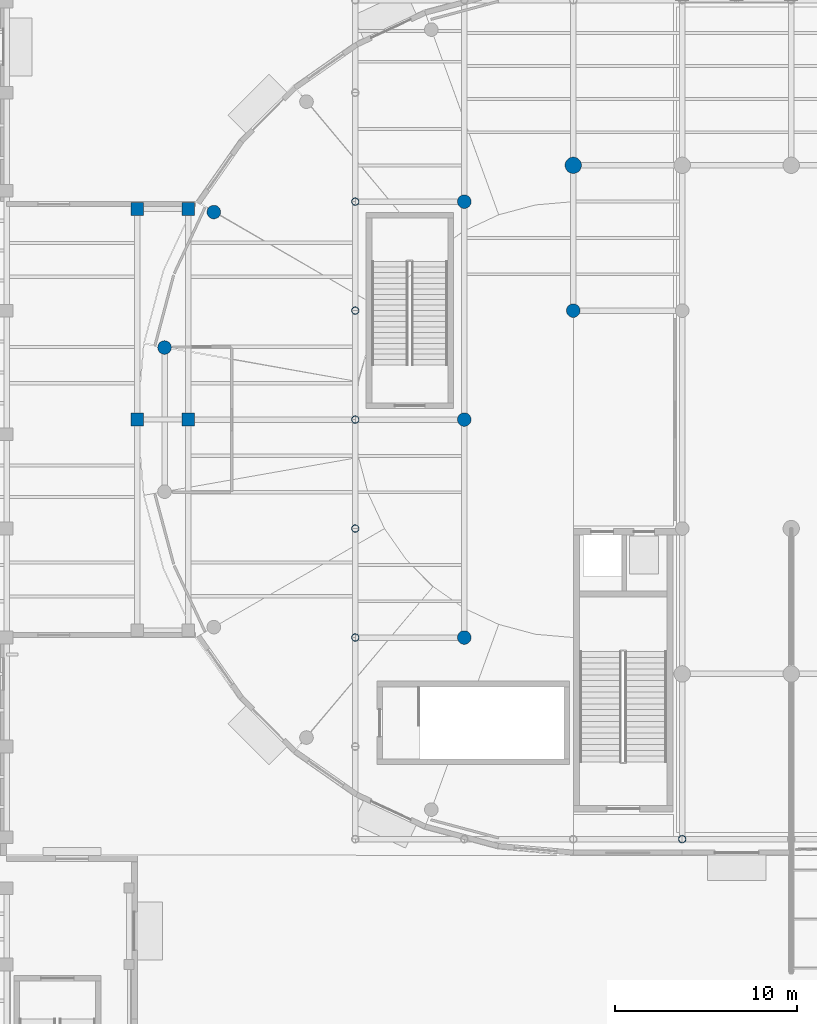
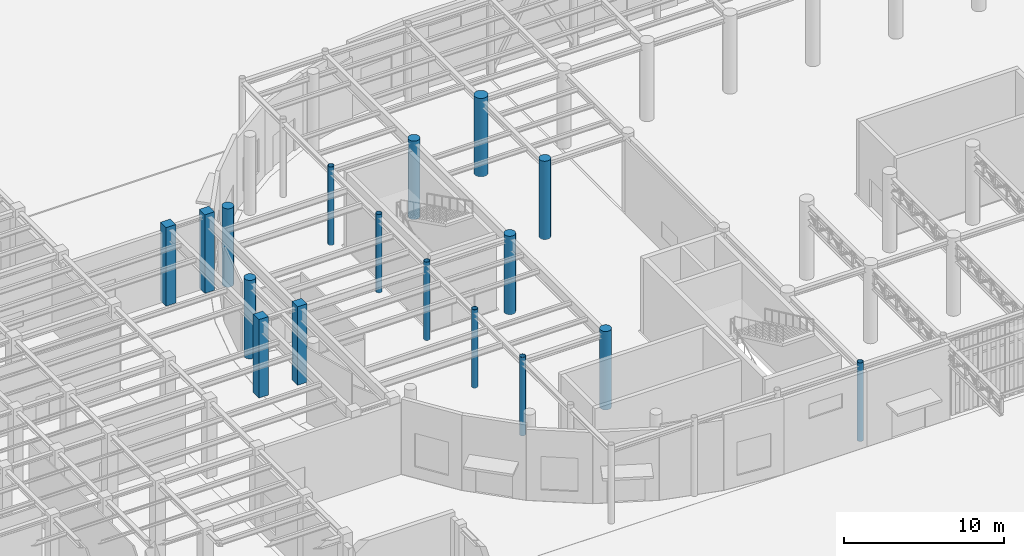
# One storey, part 4 of 118: 17 columns.
"""IFC4 building model written with IfcOpenShell, lengths in metres."""

from ifc_helpers import new_model, si_unit, direction, frame, origin, origin_2d, place, context, subcontext, project, spatial, rectangle, circle, hollow_circle, extrude, material, material_profile, profile_set, type_object, element, save


model = new_model("IFC4")

# Units and contexts
model_context = context("Model", 3, precision=1e-05, world=origin(), true_north=direction((0.0, 1.0)))
body_context = subcontext(model_context, "Body", "Model", "MODEL_VIEW")
ifc_project = project(units=[si_unit("LENGTHUNIT", "METRE"), si_unit("AREAUNIT", "SQUARE_METRE"), si_unit("VOLUMEUNIT", "CUBIC_METRE"), si_unit("PLANEANGLEUNIT", "RADIAN"), si_unit("MASSUNIT", "GRAM", prefix="KILO")], contexts=[model_context])

# Site, building, storey
site_placement = place(None, origin())
site = spatial("IfcSite", under=ifc_project, at=site_placement, CompositionType="ELEMENT")
building_placement = place(site_placement, origin())
building = spatial("IfcBuilding", under=site, at=building_placement, Name="Kolvaren Corner Interchange", CompositionType="ELEMENT")
storey_placement = place(building_placement, origin())
storey = spatial("IfcBuildingStorey", under=building, at=storey_placement, Name="L01", CompositionType="ELEMENT", Elevation=0.0)

# Columns
ifc_material_1 = material(Name="Steel S355", Category="steel")
ifc_material_profile_1 = material_profile(ifc_material_1, hollow_circle(Radius=0.203125, WallThickness=0.01611328125, at=origin_2d()), Name="CHS 406.4x16.0")
ifc_profile_set_1 = profile_set([ifc_material_profile_1], Name="Steel S355")
column_type_1 = type_object("IfcColumnType", Name="COL-CHS406", PredefinedType="COLUMN", material=ifc_profile_set_1)
for number, where, z_axis, x_axis, name in (
    (1, (66.0, 24.89990234375, 0.0), (0.0, 0.0, 1.0), (1.0, 0.0, 0.0), "Storey L01 Structural Column 0484"),
    (2, (48.0, 36.0, 0.0), (0.0, 0.0, 1.0), (1.0, 0.0, 0.0), "Storey L01 Structural Column 0686"),
    (3, (48.0, 42.0, 0.0), (0.0, 0.0, 1.0), (1.0, 0.0, 0.0), "Storey L01 Structural Column 0690"),
    (4, (48.0, 48.0, 0.0), (0.0, 0.0, 1.0), (1.0, 0.0, 0.0), "Storey L01 Structural Column 0694"),
    (5, (48.0, 54.0, 0.0), (0.0, 0.0, 1.0), (1.0, 0.0, 0.0), "Storey L01 Structural Column 0698"),
    (6, (48.0, 60.0, 0.0), (0.0, 0.0, 1.0), (1.0, 0.0, 0.0), "Storey L01 Structural Column 0702"),
):
    element("IfcColumn", number, at=place(storey_placement, frame(where, z_axis=z_axis, x_axis=x_axis)), inside=storey, type_object=column_type_1, Name=name, PredefinedType="COLUMN", context=body_context, shape_type="SweptSolid", body=[
        extrude(hollow_circle(Radius=0.203125, WallThickness=0.01611328125, at=origin_2d()), origin(), (0.0, 0.0, 1.0), 6.0),
    ])
ifc_material_2 = material(Name="Concrete C35/45", Category="concrete")
ifc_material_profile_2 = material_profile(ifc_material_2, rectangle(XDim=0.699951171875, YDim=0.699951171875, at=origin_2d()), Name="RC 700x700")
ifc_profile_set_2 = profile_set([ifc_material_profile_2], Name="Concrete C35/45")
column_type_2 = type_object("IfcColumnType", Name="COL-RC700", PredefinedType="COLUMN", material=ifc_profile_set_2)
for number, where, z_axis, x_axis, name in (
    (7, (36.0, 48.0, 0.0), (0.0, 0.0, 1.0), (1.0, 0.0, 0.0), "Storey L01 Structural Column 0450"),
    (8, (36.0, 59.60009765625, 0.0), (0.0, 0.0, 1.0), (1.0, 0.0, 0.0), "Storey L01 Structural Column 0454"),
    (9, (38.800048828125, 48.0, 0.0), (0.0, 0.0, 1.0), (1.0, 0.0, 0.0), "Storey L01 Structural Column 0462"),
    (10, (38.800048828125, 59.60009765625, 0.0), (0.0, 0.0, 1.0), (1.0, 0.0, 0.0), "Storey L01 Structural Column 0466"),
):
    element("IfcColumn", number, at=place(storey_placement, frame(where, z_axis=z_axis, x_axis=x_axis)), inside=storey, type_object=column_type_2, Name=name, PredefinedType="COLUMN", context=body_context, shape_type="SweptSolid", body=[
        extrude(rectangle(XDim=0.699951171875, YDim=0.699951171875, at=origin_2d()), origin(), (0.0, 0.0, 1.0), 6.0),
    ])
ifc_material_3 = material(Name="Concrete C35/45", Category="concrete")
ifc_material_profile_3 = material_profile(ifc_material_3, circle(Radius=0.375, at=origin_2d()), Name="RC COL D750")
ifc_profile_set_3 = profile_set([ifc_material_profile_3], Name="Concrete C35/45")
column_type_3 = type_object("IfcColumnType", Name="COL-RCD750", PredefinedType="COLUMN", material=ifc_profile_set_3)
for number, where, z_axis, x_axis, name in (
    (11, (60.0, 54.0, 0.0), (0.0, 0.0, 1.0), (1.0, 0.0, 0.0), "Storey L01 Structural Column 0474"),
    (12, (54.0, 36.0, 0.0), (0.0, 0.0, 1.0), (1.0, 0.0, 0.0), "Storey L01 Structural Column 0718"),
    (13, (54.0, 48.0, 0.0), (0.0, 0.0, 1.0), (1.0, 0.0, 0.0), "Storey L01 Structural Column 0721"),
    (14, (54.0, 60.0, 0.0), (0.0, 0.0, 1.0), (1.0, 0.0, 0.0), "Storey L01 Structural Column 0724"),
    (15, (40.2109375, 59.425048828125, 0.0), (0.0, 0.0, 1.0), (1.0, 0.0, 0.0), "Storey L01 Structural Column 0792"),
    (16, (37.4970703125, 51.968017578125, 0.0), (0.0, 0.0, 1.0), (1.0, 0.0, 0.0), "Storey L01 Structural Column 0796"),
):
    element("IfcColumn", number, at=place(storey_placement, frame(where, z_axis=z_axis, x_axis=x_axis)), inside=storey, type_object=column_type_3, Name=name, PredefinedType="COLUMN", context=body_context, shape_type="SweptSolid", body=[
        extrude(circle(Radius=0.375, at=origin_2d()), origin(), (0.0, 0.0, 1.0), 6.0),
    ])
ifc_material_4 = material(Name="Concrete C40/50", Category="concrete")
ifc_material_profile_4 = material_profile(ifc_material_4, circle(Radius=0.449951171875, at=origin_2d()), Name="RC COL D900")
ifc_profile_set_4 = profile_set([ifc_material_profile_4], Name="Concrete C40/50")
column_type_4 = type_object("IfcColumnType", Name="COL-RCD900", PredefinedType="COLUMN", material=ifc_profile_set_4)
column_placement = place(storey_placement, frame((60.0, 62.0, 0.0), z_axis=(0.0, 0.0, 1.0), x_axis=(1.0, 0.0, 0.0)))
element("IfcColumn", 17, at=column_placement, inside=storey, type_object=column_type_4, Name="Storey L01 Structural Column 0477", PredefinedType="COLUMN", context=body_context, shape_type="SweptSolid", body=[
    extrude(circle(Radius=0.449951171875, at=origin_2d()), origin(), (0.0, 0.0, 1.0), 6.0),
])

save(model, "model.ifc")
